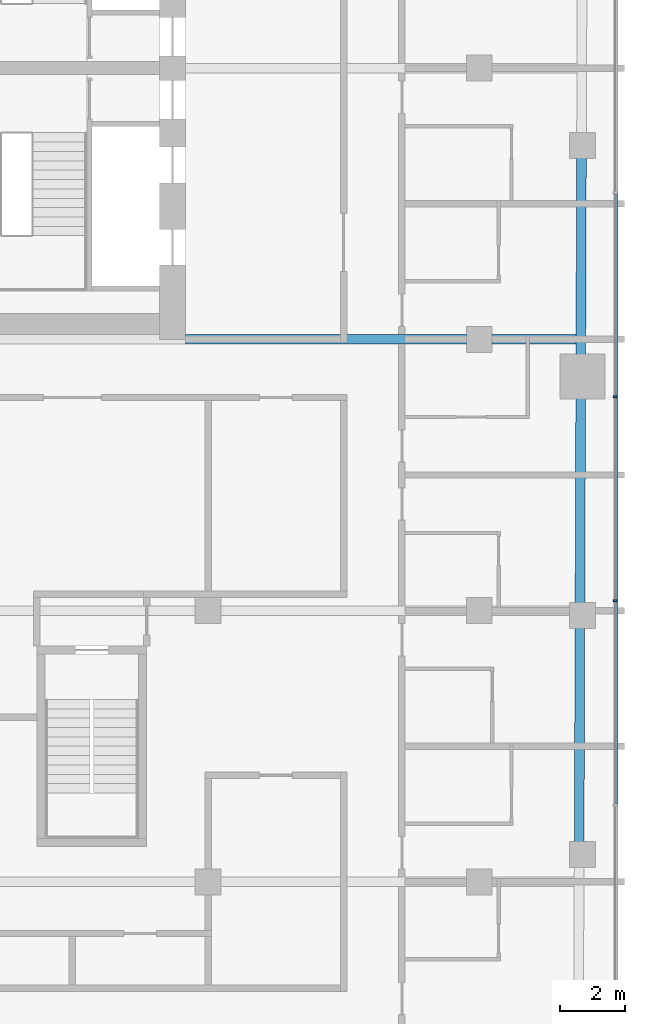
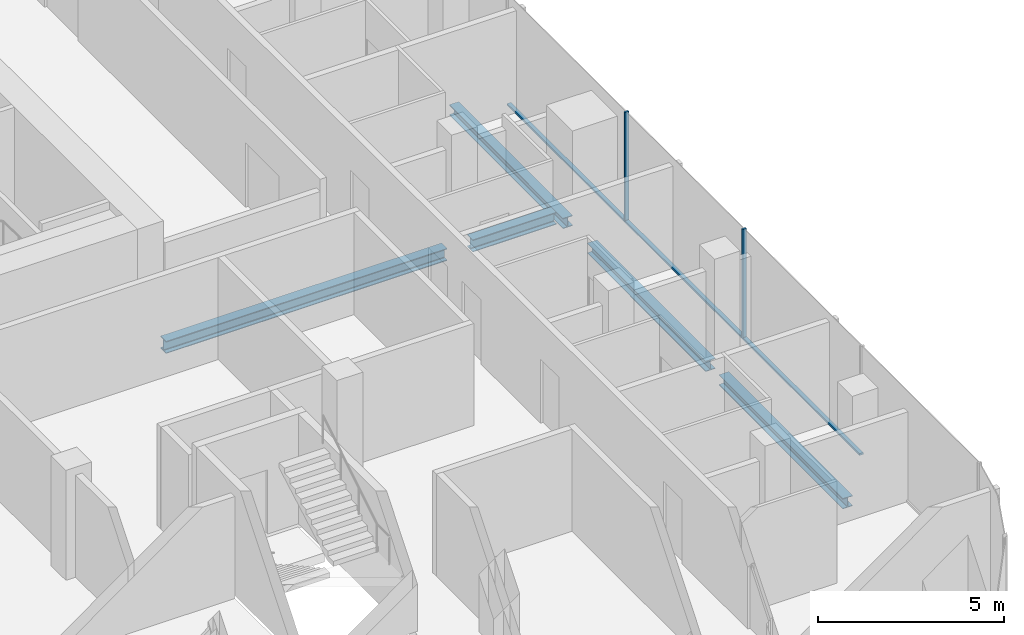
# One storey, part 7 of 22: 5 beams, 5 members, 1 element without a shape of its own.
"""IFC4 building model written with IfcOpenShell, lengths in metres."""

from ifc_helpers import new_model, si_unit, direction, frame, origin, origin_2d, place, context, subcontext, project, spatial, rectangle, i_section, extrude, material, layer, layer_set, material_profile, profile_set, type_object, element, aggregate, save


model = new_model("IFC4")

# Units and contexts
model_context = context("Model", 3, precision=1e-05, world=origin(), true_north=direction((0.0, 1.0)))
body_context = subcontext(model_context, "Body", "Model", "MODEL_VIEW")
ifc_project = project(units=[si_unit("LENGTHUNIT", "METRE"), si_unit("AREAUNIT", "SQUARE_METRE"), si_unit("VOLUMEUNIT", "CUBIC_METRE"), si_unit("PLANEANGLEUNIT", "RADIAN"), si_unit("MASSUNIT", "GRAM", prefix="KILO")], contexts=[model_context])

# Site, building, storey
site_placement = place(None, origin())
site = spatial("IfcSite", under=ifc_project, at=site_placement, CompositionType="ELEMENT")
building_placement = place(site_placement, origin())
building = spatial("IfcBuilding", under=site, at=building_placement, Name="Marenta Gate Hotel Tower", CompositionType="ELEMENT")
storey_placement = place(building_placement, frame((0.0, 0.0, 194.89990234375)))
storey = spatial("IfcBuildingStorey", under=building, at=storey_placement, Name="L44", CompositionType="ELEMENT", Elevation=194.89990234375)

# Beams
ifc_material_1 = material(Name="Steel S355", Category="steel")
ifc_material_profile_1 = material_profile(ifc_material_1, i_section(OverallWidth=0.300048828125, OverallDepth=0.340087890625, WebThickness=0.011962890625, FlangeThickness=0.021484375, FilletRadius=0.027099609375, at=origin_2d()), Name="HEB 340")
ifc_profile_set_1 = profile_set([ifc_material_profile_1], Name="Steel S355")
beam_type_1 = type_object("IfcBeamType", Name="Edge beam HEB 340", PredefinedType="SPANDREL", material=ifc_profile_set_1)
beam_1_placement = place(storey_placement, frame((24.164306640625, 5.643310546875, -0.429931640625), z_axis=(-0.003303859048, -0.999994542243, 0.0), x_axis=(0.999994542243, -0.003303859048, 0.0)))
element("IfcBeam", 1, at=beam_1_placement, inside=storey, type_object=beam_type_1, Name="L44-EB-24", PredefinedType="SPANDREL", context=body_context, shape_type="SweptSolid", body=[
    extrude(i_section(OverallWidth=0.300048828125, OverallDepth=0.340087890625, WebThickness=0.011962890625, FlangeThickness=0.021484375, FilletRadius=0.027099609375, at=origin_2d()), origin(), (0.0, 0.0, 1.0), 6.13330078125),
])
beam_2_placement = place(storey_placement, frame((24.1396484375, -1.81005859375, -0.429931640625), z_axis=(-0.003328723523, -0.999994459785, 0.0), x_axis=(0.999994459785, -0.003328723523, 0.0)))
element("IfcBeam", 2, at=beam_2_placement, inside=storey, type_object=beam_type_1, Name="L44-EB-25", PredefinedType="SPANDREL", context=body_context, shape_type="SweptSolid", body=[
    extrude(i_section(OverallWidth=0.300048828125, OverallDepth=0.340087890625, WebThickness=0.011962890625, FlangeThickness=0.021484375, FilletRadius=0.027099609375, at=origin_2d()), origin(), (0.0, 0.0, 1.0), 6.380859375),
])
beam_3_placement = place(storey_placement, frame((24.115966796875, -8.910888671875, -0.429931640625), z_axis=(-0.00332539729, -0.999994470851, 0.0), x_axis=(0.999994470851, -0.00332539729, 0.0)))
element("IfcBeam", 3, at=beam_3_placement, inside=storey, type_object=beam_type_1, Name="L44-EB-26", PredefinedType="SPANDREL", context=body_context, shape_type="SweptSolid", body=[
    extrude(i_section(OverallWidth=0.300048828125, OverallDepth=0.340087890625, WebThickness=0.011962890625, FlangeThickness=0.021484375, FilletRadius=0.027099609375, at=origin_2d()), origin(), (0.0, 0.0, 1.0), 6.680908203125),
])
ifc_material_2 = material(Name="Steel S355", Category="steel")
ifc_material_profile_2 = material_profile(ifc_material_2, i_section(OverallWidth=0.300048828125, OverallDepth=0.39990234375, WebThickness=0.013427734375, FlangeThickness=0.02392578125, FilletRadius=0.027099609375, at=origin_2d()), Name="HEB 400")
ifc_profile_set_2 = profile_set([ifc_material_profile_2], Name="Steel S355")
beam_type_2 = type_object("IfcBeamType", Name="Girder HEB 400", PredefinedType="BEAM", material=ifc_profile_set_2)
beam_4_placement = place(storey_placement, frame((11.89990234375, 0.0, -0.4599609375), z_axis=(1.0, 0.0, 0.0), x_axis=(0.0, 1.0, 0.0)))
element("IfcBeam", 4, at=beam_4_placement, inside=storey, type_object=beam_type_2, Name="L44-GD-23", PredefinedType="BEAM", context=body_context, shape_type="SweptSolid", body=[
    extrude(i_section(OverallWidth=0.300048828125, OverallDepth=0.39990234375, WebThickness=0.013427734375, FlangeThickness=0.02392578125, FilletRadius=0.027099609375, at=origin_2d()), origin(), (0.0, 0.0, 1.0), 8.7001953125),
])
beam_5_placement = place(storey_placement, frame((21.39990234375, 0.0, -0.4599609375), z_axis=(1.0, 0.0, 0.0), x_axis=(0.0, 1.0, 0.0)))
element("IfcBeam", 5, at=beam_5_placement, inside=storey, type_object=beam_type_2, Name="L44-GD-24", PredefinedType="BEAM", context=body_context, shape_type="SweptSolid", body=[
    extrude(i_section(OverallWidth=0.300048828125, OverallDepth=0.39990234375, WebThickness=0.013427734375, FlangeThickness=0.02392578125, FilletRadius=0.027099609375, at=origin_2d()), origin(), (0.0, 0.0, 1.0), 2.595703125),
])

# Curtain wall, members
ifc_material_3 = material(Name="Tinted insulated glass in bronze anodised frame", Category="glass")
ifc_layer = layer(ifc_material_3, 0.1201171875)
ifc_layer_set = layer_set([ifc_layer], Name="Tinted insulated glass in bronze anodised frame")
curtain_wall_type = type_object("IfcCurtainWallType", Name="Tower unitised curtain wall CW1", PredefinedType="NOTDEFINED", material=ifc_layer_set)
curtain_wall_placement = place(storey_placement, origin())
curtain_wall = element("IfcCurtainWall", 6, at=curtain_wall_placement, inside=storey, type_object=curtain_wall_type, Name="CW1 run G11", PredefinedType="NOTDEFINED")
ifc_material_4 = material(Name="Bronze anodised aluminium", Category="aluminium")
ifc_material_profile_3 = material_profile(ifc_material_4, rectangle(XDim=0.1201171875, YDim=0.06005859375, at=origin_2d()), Name="Mullion CW1 60x120 bronze anodised aluminium")
ifc_profile_set_3 = profile_set([ifc_material_profile_3], Name="Bronze anodised aluminium")
member_type_1 = type_object("IfcMemberType", Name="Mullion CW1 60x120 bronze anodised aluminium", PredefinedType="MULLION", material=ifc_profile_set_3)
member_1_placement = place(storey_placement, frame((25.214111328125, -8.0986328125, 0.0), z_axis=(0.0, 0.0, 1.0), x_axis=(-1.0, 0.0, 0.0)))
member_1 = element("IfcMember", 7, at=member_1_placement, type_object=member_type_1, Name="CW1 mullion 3", PredefinedType="MULLION", context=body_context, shape_type="SweptSolid", body=[
    extrude(rectangle(XDim=0.1201171875, YDim=0.06005859375, at=origin_2d()), origin(), (0.0, 0.0, 1.0), 3.60009765625),
])
member_2_placement = place(storey_placement, frame((25.214111328125, -1.77587890625, 0.0), z_axis=(0.0, 0.0, 1.0), x_axis=(-1.0, 0.0, 0.0)))
member_2 = element("IfcMember", 8, at=member_2_placement, type_object=member_type_1, Name="CW1 mullion 4", PredefinedType="MULLION", context=body_context, shape_type="SweptSolid", body=[
    extrude(rectangle(XDim=0.1201171875, YDim=0.06005859375, at=origin_2d()), origin(), (0.0, 0.0, 1.0), 3.60009765625),
])
ifc_material_5 = material(Name="Bronze anodised aluminium", Category="aluminium")
ifc_material_profile_4 = material_profile(ifc_material_5, rectangle(XDim=0.1201171875, YDim=0.06005859375, at=origin_2d()), Name="Transom CW1 60x120 bronze anodised aluminium")
ifc_profile_set_4 = profile_set([ifc_material_profile_4], Name="Bronze anodised aluminium")
member_type_2 = type_object("IfcMemberType", Name="Transom CW1 60x120 bronze anodised aluminium", PredefinedType="USERDEFINED", material=ifc_profile_set_4)
member_3_placement = place(storey_placement, frame((25.214111328125, -14.391357421875, 0.030029296875), z_axis=(0.0, 1.0, 0.0), x_axis=(-1.0, 0.0, 0.0)))
member_3 = element("IfcMember", 9, at=member_3_placement, type_object=member_type_2, Name="CW1 transom 2.1", ObjectType="TRANSOM", PredefinedType="USERDEFINED", context=body_context, shape_type="SweptSolid", body=[
    extrude(rectangle(XDim=0.1201171875, YDim=0.06005859375, at=origin_2d()), origin(), (0.0, 0.0, 1.0), 6.2626953125),
])
member_4_placement = place(storey_placement, frame((25.214111328125, -8.068603515625, 0.030029296875), z_axis=(0.0, 1.0, 0.0), x_axis=(-1.0, 0.0, 0.0)))
member_4 = element("IfcMember", 10, at=member_4_placement, type_object=member_type_2, Name="CW1 transom 3.1", ObjectType="TRANSOM", PredefinedType="USERDEFINED", context=body_context, shape_type="SweptSolid", body=[
    extrude(rectangle(XDim=0.1201171875, YDim=0.06005859375, at=origin_2d()), origin(), (0.0, 0.0, 1.0), 6.2626953125),
])
member_5_placement = place(storey_placement, frame((25.214111328125, -1.74609375, 0.030029296875), z_axis=(0.0, 1.0, 0.0), x_axis=(-1.0, 0.0, 0.0)))
member_5 = element("IfcMember", 11, at=member_5_placement, type_object=member_type_2, Name="CW1 transom 4.1", ObjectType="TRANSOM", PredefinedType="USERDEFINED", context=body_context, shape_type="SweptSolid", body=[
    extrude(rectangle(XDim=0.1201171875, YDim=0.06005859375, at=origin_2d()), origin(), (0.0, 0.0, 1.0), 6.2626953125),
])
aggregate(curtain_wall, [member_1, member_2, member_3, member_4, member_5])

save(model, "model.ifc")
